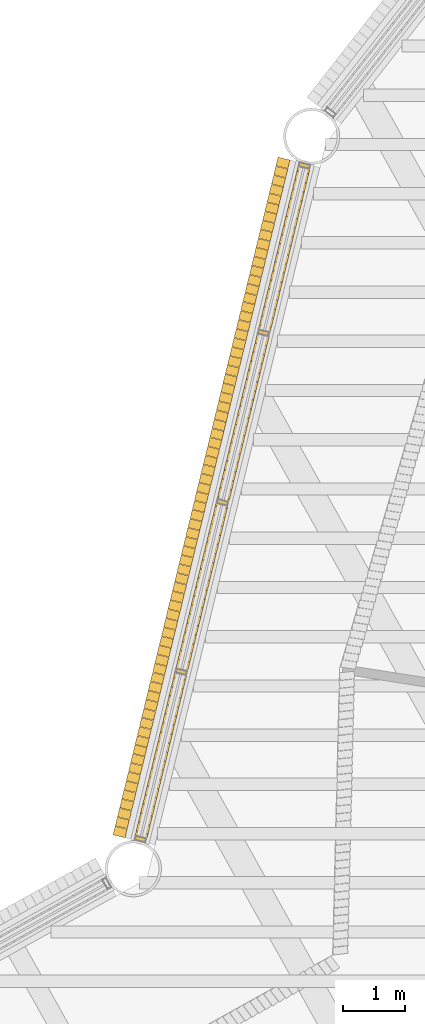
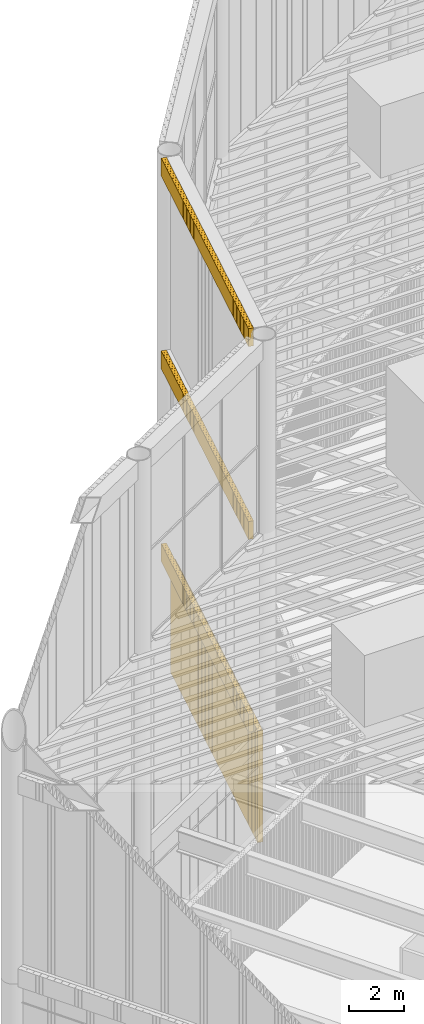
# One storey, part 100 of 117: 4 coverings.
"""IFC4 building model written with IfcOpenShell, lengths in metres."""

from ifc_helpers import new_model, si_unit, direction, frame, frame_2d, origin, place, context, subcontext, project, spatial, rectangle, composite_profile, extrude, material, type_object, element, save


model = new_model("IFC4")

# Units and contexts
model_context = context("Model", 3, precision=1e-05, world=origin(), true_north=direction((0.0, 1.0)))
body_context = subcontext(model_context, "Body", "Model", "MODEL_VIEW")
ifc_project = project(units=[si_unit("LENGTHUNIT", "METRE"), si_unit("AREAUNIT", "SQUARE_METRE"), si_unit("VOLUMEUNIT", "CUBIC_METRE"), si_unit("PLANEANGLEUNIT", "RADIAN"), si_unit("MASSUNIT", "GRAM", prefix="KILO")], contexts=[model_context])

# Site, building, storey
site_placement = place(None, origin())
site = spatial("IfcSite", under=ifc_project, at=site_placement, CompositionType="ELEMENT")
building_placement = place(site_placement, origin())
building = spatial("IfcBuilding", under=site, at=building_placement, Name="Tarsis Ring Headquarters", CompositionType="ELEMENT")
storey_placement = place(building_placement, frame((0.0, 0.0, 403.60009765625)))
storey = spatial("IfcBuildingStorey", under=building, at=storey_placement, Name="L95", CompositionType="ELEMENT", Elevation=403.60009765625)

# Coverings
ifc_material = material(Name="Terracotta louvre", Category="masonry")
covering_type = type_object("IfcCoveringType", Name="Crown louvre fin", PredefinedType="CLADDING", material=ifc_material)
covering_1_placement = place(storey_placement, frame((-26.24951171875, 12.22265625, 0.0), z_axis=(0.0, 0.0, 1.0), x_axis=(-0.236521851509, -0.971632886036, 0.0)))
element("IfcCovering", 1, at=covering_1_placement, inside=storey, type_object=covering_type, Name="Crown louvre base 13", PredefinedType="CLADDING", context=body_context, shape_type="SweptSolid", body=[
    extrude(composite_profile([rectangle(XDim=0.14501953125, YDim=0.199951171875, at=frame_2d((0.072509765625, 0.0))), rectangle(XDim=0.14501953125, YDim=0.199951171875, at=frame_2d((0.2236328125, 0.0))), rectangle(XDim=0.14501953125, YDim=0.199951171875, at=frame_2d((0.375, 0.0))), rectangle(XDim=0.14501953125, YDim=0.199951171875, at=frame_2d((0.526123046875, 0.0))), rectangle(XDim=0.14501953125, YDim=0.199951171875, at=frame_2d((0.677490234375, 0.0))), rectangle(XDim=0.14501953125, YDim=0.199951171875, at=frame_2d((0.82861328125, 0.0))), rectangle(XDim=0.14501953125, YDim=0.199951171875, at=frame_2d((0.979736328125, 0.0))), rectangle(XDim=0.14501953125, YDim=0.199951171875, at=frame_2d((1.131103515625, 0.0))), rectangle(XDim=0.14501953125, YDim=0.199951171875, at=frame_2d((1.2822265625, 0.0))), rectangle(XDim=0.14501953125, YDim=0.199951171875, at=frame_2d((1.433349609375, 0.0))), rectangle(XDim=0.14501953125, YDim=0.199951171875, at=frame_2d((1.584716796875, 0.0))), rectangle(XDim=0.14501953125, YDim=0.199951171875, at=frame_2d((1.73583984375, 0.0))), rectangle(XDim=0.14501953125, YDim=0.199951171875, at=frame_2d((1.88720703125, 0.0))), rectangle(XDim=0.14501953125, YDim=0.199951171875, at=frame_2d((2.038330078125, 0.0))), rectangle(XDim=0.14501953125, YDim=0.199951171875, at=frame_2d((2.189453125, 0.0))), rectangle(XDim=0.14501953125, YDim=0.199951171875, at=frame_2d((2.3408203125, 0.0))), rectangle(XDim=0.14501953125, YDim=0.199951171875, at=frame_2d((2.491943359375, 0.0))), rectangle(XDim=0.14501953125, YDim=0.199951171875, at=frame_2d((2.64306640625, 0.0))), rectangle(XDim=0.14501953125, YDim=0.199951171875, at=frame_2d((2.79443359375, 0.0))), rectangle(XDim=0.14501953125, YDim=0.199951171875, at=frame_2d((2.945556640625, 0.0))), rectangle(XDim=0.14501953125, YDim=0.199951171875, at=frame_2d((3.096923828125, 0.0))), rectangle(XDim=0.14501953125, YDim=0.199951171875, at=frame_2d((3.248046875, 0.0))), rectangle(XDim=0.14501953125, YDim=0.199951171875, at=frame_2d((3.399169921875, 0.0))), rectangle(XDim=0.14501953125, YDim=0.199951171875, at=frame_2d((3.550537109375, 0.0))), rectangle(XDim=0.14501953125, YDim=0.199951171875, at=frame_2d((3.70166015625, 0.0))), rectangle(XDim=0.14501953125, YDim=0.199951171875, at=frame_2d((3.852783203125, 0.0))), rectangle(XDim=0.14501953125, YDim=0.199951171875, at=frame_2d((4.004150390625, 0.0))), rectangle(XDim=0.14501953125, YDim=0.199951171875, at=frame_2d((4.1552734375, 0.0))), rectangle(XDim=0.14501953125, YDim=0.199951171875, at=frame_2d((4.306640625, 0.0))), rectangle(XDim=0.14501953125, YDim=0.199951171875, at=frame_2d((4.457763671875, 0.0))), rectangle(XDim=0.14501953125, YDim=0.199951171875, at=frame_2d((4.60888671875, 0.0))), rectangle(XDim=0.14501953125, YDim=0.199951171875, at=frame_2d((4.76025390625, 0.0))), rectangle(XDim=0.14501953125, YDim=0.199951171875, at=frame_2d((4.911376953125, 0.0))), rectangle(XDim=0.14501953125, YDim=0.199951171875, at=frame_2d((5.0625, 0.0))), rectangle(XDim=0.14501953125, YDim=0.199951171875, at=frame_2d((5.2138671875, 0.0))), rectangle(XDim=0.14501953125, YDim=0.199951171875, at=frame_2d((5.364990234375, 0.0))), rectangle(XDim=0.14501953125, YDim=0.199951171875, at=frame_2d((5.516357421875, 0.0))), rectangle(XDim=0.14501953125, YDim=0.199951171875, at=frame_2d((5.66748046875, 0.0))), rectangle(XDim=0.14501953125, YDim=0.199951171875, at=frame_2d((5.818603515625, 0.0))), rectangle(XDim=0.14501953125, YDim=0.199951171875, at=frame_2d((5.969970703125, 0.0))), rectangle(XDim=0.14501953125, YDim=0.199951171875, at=frame_2d((6.12109375, 0.0))), rectangle(XDim=0.14501953125, YDim=0.199951171875, at=frame_2d((6.2724609375, 0.0))), rectangle(XDim=0.14501953125, YDim=0.199951171875, at=frame_2d((6.423583984375, 0.0))), rectangle(XDim=0.14501953125, YDim=0.199951171875, at=frame_2d((6.57470703125, 0.0))), rectangle(XDim=0.14501953125, YDim=0.199951171875, at=frame_2d((6.72607421875, 0.0))), rectangle(XDim=0.14501953125, YDim=0.199951171875, at=frame_2d((6.877197265625, 0.0))), rectangle(XDim=0.14501953125, YDim=0.199951171875, at=frame_2d((7.0283203125, 0.0))), rectangle(XDim=0.14501953125, YDim=0.199951171875, at=frame_2d((7.1796875, 0.0))), rectangle(XDim=0.14501953125, YDim=0.199951171875, at=frame_2d((7.330810546875, 0.0))), rectangle(XDim=0.14501953125, YDim=0.199951171875, at=frame_2d((7.482177734375, 0.0))), rectangle(XDim=0.14501953125, YDim=0.199951171875, at=frame_2d((7.63330078125, 0.0))), rectangle(XDim=0.14501953125, YDim=0.199951171875, at=frame_2d((7.784423828125, 0.0))), rectangle(XDim=0.14501953125, YDim=0.199951171875, at=frame_2d((7.935791015625, 0.0))), rectangle(XDim=0.14501953125, YDim=0.199951171875, at=frame_2d((8.0869140625, 0.0))), rectangle(XDim=0.14501953125, YDim=0.199951171875, at=frame_2d((8.238037109375, 0.0))), rectangle(XDim=0.14501953125, YDim=0.199951171875, at=frame_2d((8.389404296875, 0.0))), rectangle(XDim=0.14501953125, YDim=0.199951171875, at=frame_2d((8.54052734375, 0.0))), rectangle(XDim=0.14501953125, YDim=0.199951171875, at=frame_2d((8.69189453125, 0.0))), rectangle(XDim=0.14501953125, YDim=0.199951171875, at=frame_2d((8.843017578125, 0.0))), rectangle(XDim=0.14501953125, YDim=0.199951171875, at=frame_2d((8.994140625, 0.0))), rectangle(XDim=0.14501953125, YDim=0.199951171875, at=frame_2d((9.1455078125, 0.0))), rectangle(XDim=0.14501953125, YDim=0.199951171875, at=frame_2d((9.296630859375, 0.0))), rectangle(XDim=0.14501953125, YDim=0.199951171875, at=frame_2d((9.44775390625, 0.0))), rectangle(XDim=0.14501953125, YDim=0.199951171875, at=frame_2d((9.59912109375, 0.0))), rectangle(XDim=0.14501953125, YDim=0.199951171875, at=frame_2d((9.750244140625, 0.0))), rectangle(XDim=0.14501953125, YDim=0.199951171875, at=frame_2d((9.901611328125, 0.0))), rectangle(XDim=0.14501953125, YDim=0.199951171875, at=frame_2d((10.052734375, 0.0))), rectangle(XDim=0.14501953125, YDim=0.199951171875, at=frame_2d((10.203857421875, 0.0))), rectangle(XDim=0.14501953125, YDim=0.199951171875, at=frame_2d((10.355224609375, 0.0))), rectangle(XDim=0.14501953125, YDim=0.199951171875, at=frame_2d((10.50634765625, 0.0))), rectangle(XDim=0.14501953125, YDim=0.199951171875, at=frame_2d((10.657470703125, 0.0))), rectangle(XDim=0.14501953125, YDim=0.199951171875, at=frame_2d((10.808837890625, 0.0))), rectangle(XDim=0.14501953125, YDim=0.199951171875, at=frame_2d((10.9599609375, 0.0))), rectangle(XDim=0.14501953125, YDim=0.199951171875, at=frame_2d((11.111328125, 0.0))), rectangle(XDim=0.14501953125, YDim=0.199951171875, at=frame_2d((11.262451171875, 0.0)))]), origin(), (0.0, 0.0, 1.0), 5.0),
])
covering_2_placement = place(storey_placement, frame((-26.589599609375, 12.305419921875, 5.0), z_axis=(0.0, 0.0, 1.0), x_axis=(-0.236521851509, -0.971632886036, 0.0)))
element("IfcCovering", 2, at=covering_2_placement, inside=storey, type_object=covering_type, Name="Crown louvre fascia R13", PredefinedType="CLADDING", context=body_context, shape_type="SweptSolid", body=[
    extrude(composite_profile([rectangle(XDim=0.14501953125, YDim=0.199951171875, at=frame_2d((0.072509765625, 0.0))), rectangle(XDim=0.14501953125, YDim=0.199951171875, at=frame_2d((0.2236328125, 0.0))), rectangle(XDim=0.14501953125, YDim=0.199951171875, at=frame_2d((0.375, 0.0))), rectangle(XDim=0.14501953125, YDim=0.199951171875, at=frame_2d((0.526123046875, 0.0))), rectangle(XDim=0.14501953125, YDim=0.199951171875, at=frame_2d((0.677490234375, 0.0))), rectangle(XDim=0.14501953125, YDim=0.199951171875, at=frame_2d((0.82861328125, 0.0))), rectangle(XDim=0.14501953125, YDim=0.199951171875, at=frame_2d((0.979736328125, 0.0))), rectangle(XDim=0.14501953125, YDim=0.199951171875, at=frame_2d((1.131103515625, 0.0))), rectangle(XDim=0.14501953125, YDim=0.199951171875, at=frame_2d((1.2822265625, 0.0))), rectangle(XDim=0.14501953125, YDim=0.199951171875, at=frame_2d((1.433349609375, 0.0))), rectangle(XDim=0.14501953125, YDim=0.199951171875, at=frame_2d((1.584716796875, 0.0))), rectangle(XDim=0.14501953125, YDim=0.199951171875, at=frame_2d((1.73583984375, 0.0))), rectangle(XDim=0.14501953125, YDim=0.199951171875, at=frame_2d((1.88720703125, 0.0))), rectangle(XDim=0.14501953125, YDim=0.199951171875, at=frame_2d((2.038330078125, 0.0))), rectangle(XDim=0.14501953125, YDim=0.199951171875, at=frame_2d((2.189453125, 0.0))), rectangle(XDim=0.14501953125, YDim=0.199951171875, at=frame_2d((2.3408203125, 0.0))), rectangle(XDim=0.14501953125, YDim=0.199951171875, at=frame_2d((2.491943359375, 0.0))), rectangle(XDim=0.14501953125, YDim=0.199951171875, at=frame_2d((2.64306640625, 0.0))), rectangle(XDim=0.14501953125, YDim=0.199951171875, at=frame_2d((2.79443359375, 0.0))), rectangle(XDim=0.14501953125, YDim=0.199951171875, at=frame_2d((2.945556640625, 0.0))), rectangle(XDim=0.14501953125, YDim=0.199951171875, at=frame_2d((3.096923828125, 0.0))), rectangle(XDim=0.14501953125, YDim=0.199951171875, at=frame_2d((3.248046875, 0.0))), rectangle(XDim=0.14501953125, YDim=0.199951171875, at=frame_2d((3.399169921875, 0.0))), rectangle(XDim=0.14501953125, YDim=0.199951171875, at=frame_2d((3.550537109375, 0.0))), rectangle(XDim=0.14501953125, YDim=0.199951171875, at=frame_2d((3.70166015625, 0.0))), rectangle(XDim=0.14501953125, YDim=0.199951171875, at=frame_2d((3.852783203125, 0.0))), rectangle(XDim=0.14501953125, YDim=0.199951171875, at=frame_2d((4.004150390625, 0.0))), rectangle(XDim=0.14501953125, YDim=0.199951171875, at=frame_2d((4.1552734375, 0.0))), rectangle(XDim=0.14501953125, YDim=0.199951171875, at=frame_2d((4.306640625, 0.0))), rectangle(XDim=0.14501953125, YDim=0.199951171875, at=frame_2d((4.457763671875, 0.0))), rectangle(XDim=0.14501953125, YDim=0.199951171875, at=frame_2d((4.60888671875, 0.0))), rectangle(XDim=0.14501953125, YDim=0.199951171875, at=frame_2d((4.76025390625, 0.0))), rectangle(XDim=0.14501953125, YDim=0.199951171875, at=frame_2d((4.911376953125, 0.0))), rectangle(XDim=0.14501953125, YDim=0.199951171875, at=frame_2d((5.0625, 0.0))), rectangle(XDim=0.14501953125, YDim=0.199951171875, at=frame_2d((5.2138671875, 0.0))), rectangle(XDim=0.14501953125, YDim=0.199951171875, at=frame_2d((5.364990234375, 0.0))), rectangle(XDim=0.14501953125, YDim=0.199951171875, at=frame_2d((5.516357421875, 0.0))), rectangle(XDim=0.14501953125, YDim=0.199951171875, at=frame_2d((5.66748046875, 0.0))), rectangle(XDim=0.14501953125, YDim=0.199951171875, at=frame_2d((5.818603515625, 0.0))), rectangle(XDim=0.14501953125, YDim=0.199951171875, at=frame_2d((5.969970703125, 0.0))), rectangle(XDim=0.14501953125, YDim=0.199951171875, at=frame_2d((6.12109375, 0.0))), rectangle(XDim=0.14501953125, YDim=0.199951171875, at=frame_2d((6.2724609375, 0.0))), rectangle(XDim=0.14501953125, YDim=0.199951171875, at=frame_2d((6.423583984375, 0.0))), rectangle(XDim=0.14501953125, YDim=0.199951171875, at=frame_2d((6.57470703125, 0.0))), rectangle(XDim=0.14501953125, YDim=0.199951171875, at=frame_2d((6.72607421875, 0.0))), rectangle(XDim=0.14501953125, YDim=0.199951171875, at=frame_2d((6.877197265625, 0.0))), rectangle(XDim=0.14501953125, YDim=0.199951171875, at=frame_2d((7.0283203125, 0.0))), rectangle(XDim=0.14501953125, YDim=0.199951171875, at=frame_2d((7.1796875, 0.0))), rectangle(XDim=0.14501953125, YDim=0.199951171875, at=frame_2d((7.330810546875, 0.0))), rectangle(XDim=0.14501953125, YDim=0.199951171875, at=frame_2d((7.482177734375, 0.0))), rectangle(XDim=0.14501953125, YDim=0.199951171875, at=frame_2d((7.63330078125, 0.0))), rectangle(XDim=0.14501953125, YDim=0.199951171875, at=frame_2d((7.784423828125, 0.0))), rectangle(XDim=0.14501953125, YDim=0.199951171875, at=frame_2d((7.935791015625, 0.0))), rectangle(XDim=0.14501953125, YDim=0.199951171875, at=frame_2d((8.0869140625, 0.0))), rectangle(XDim=0.14501953125, YDim=0.199951171875, at=frame_2d((8.238037109375, 0.0))), rectangle(XDim=0.14501953125, YDim=0.199951171875, at=frame_2d((8.389404296875, 0.0))), rectangle(XDim=0.14501953125, YDim=0.199951171875, at=frame_2d((8.54052734375, 0.0))), rectangle(XDim=0.14501953125, YDim=0.199951171875, at=frame_2d((8.69189453125, 0.0))), rectangle(XDim=0.14501953125, YDim=0.199951171875, at=frame_2d((8.843017578125, 0.0))), rectangle(XDim=0.14501953125, YDim=0.199951171875, at=frame_2d((8.994140625, 0.0))), rectangle(XDim=0.14501953125, YDim=0.199951171875, at=frame_2d((9.1455078125, 0.0))), rectangle(XDim=0.14501953125, YDim=0.199951171875, at=frame_2d((9.296630859375, 0.0))), rectangle(XDim=0.14501953125, YDim=0.199951171875, at=frame_2d((9.44775390625, 0.0))), rectangle(XDim=0.14501953125, YDim=0.199951171875, at=frame_2d((9.59912109375, 0.0))), rectangle(XDim=0.14501953125, YDim=0.199951171875, at=frame_2d((9.750244140625, 0.0))), rectangle(XDim=0.14501953125, YDim=0.199951171875, at=frame_2d((9.901611328125, 0.0))), rectangle(XDim=0.14501953125, YDim=0.199951171875, at=frame_2d((10.052734375, 0.0))), rectangle(XDim=0.14501953125, YDim=0.199951171875, at=frame_2d((10.203857421875, 0.0))), rectangle(XDim=0.14501953125, YDim=0.199951171875, at=frame_2d((10.355224609375, 0.0))), rectangle(XDim=0.14501953125, YDim=0.199951171875, at=frame_2d((10.50634765625, 0.0))), rectangle(XDim=0.14501953125, YDim=0.199951171875, at=frame_2d((10.657470703125, 0.0))), rectangle(XDim=0.14501953125, YDim=0.199951171875, at=frame_2d((10.808837890625, 0.0))), rectangle(XDim=0.14501953125, YDim=0.199951171875, at=frame_2d((10.9599609375, 0.0))), rectangle(XDim=0.14501953125, YDim=0.199951171875, at=frame_2d((11.111328125, 0.0))), rectangle(XDim=0.14501953125, YDim=0.199951171875, at=frame_2d((11.262451171875, 0.0)))]), origin(), (0.0, 0.0, 1.0), 0.7998046875),
])
covering_3_placement = place(storey_placement, frame((-26.589599609375, 12.305419921875, 13.599853515625), z_axis=(0.0, 0.0, 1.0), x_axis=(-0.236521851509, -0.971632886036, 0.0)))
element("IfcCovering", 3, at=covering_3_placement, inside=storey, type_object=covering_type, Name="Crown louvre fascia M13", PredefinedType="CLADDING", context=body_context, shape_type="SweptSolid", body=[
    extrude(composite_profile([rectangle(XDim=0.14501953125, YDim=0.199951171875, at=frame_2d((0.072509765625, 0.0))), rectangle(XDim=0.14501953125, YDim=0.199951171875, at=frame_2d((0.2236328125, 0.0))), rectangle(XDim=0.14501953125, YDim=0.199951171875, at=frame_2d((0.375, 0.0))), rectangle(XDim=0.14501953125, YDim=0.199951171875, at=frame_2d((0.526123046875, 0.0))), rectangle(XDim=0.14501953125, YDim=0.199951171875, at=frame_2d((0.677490234375, 0.0))), rectangle(XDim=0.14501953125, YDim=0.199951171875, at=frame_2d((0.82861328125, 0.0))), rectangle(XDim=0.14501953125, YDim=0.199951171875, at=frame_2d((0.979736328125, 0.0))), rectangle(XDim=0.14501953125, YDim=0.199951171875, at=frame_2d((1.131103515625, 0.0))), rectangle(XDim=0.14501953125, YDim=0.199951171875, at=frame_2d((1.2822265625, 0.0))), rectangle(XDim=0.14501953125, YDim=0.199951171875, at=frame_2d((1.433349609375, 0.0))), rectangle(XDim=0.14501953125, YDim=0.199951171875, at=frame_2d((1.584716796875, 0.0))), rectangle(XDim=0.14501953125, YDim=0.199951171875, at=frame_2d((1.73583984375, 0.0))), rectangle(XDim=0.14501953125, YDim=0.199951171875, at=frame_2d((1.88720703125, 0.0))), rectangle(XDim=0.14501953125, YDim=0.199951171875, at=frame_2d((2.038330078125, 0.0))), rectangle(XDim=0.14501953125, YDim=0.199951171875, at=frame_2d((2.189453125, 0.0))), rectangle(XDim=0.14501953125, YDim=0.199951171875, at=frame_2d((2.3408203125, 0.0))), rectangle(XDim=0.14501953125, YDim=0.199951171875, at=frame_2d((2.491943359375, 0.0))), rectangle(XDim=0.14501953125, YDim=0.199951171875, at=frame_2d((2.64306640625, 0.0))), rectangle(XDim=0.14501953125, YDim=0.199951171875, at=frame_2d((2.79443359375, 0.0))), rectangle(XDim=0.14501953125, YDim=0.199951171875, at=frame_2d((2.945556640625, 0.0))), rectangle(XDim=0.14501953125, YDim=0.199951171875, at=frame_2d((3.096923828125, 0.0))), rectangle(XDim=0.14501953125, YDim=0.199951171875, at=frame_2d((3.248046875, 0.0))), rectangle(XDim=0.14501953125, YDim=0.199951171875, at=frame_2d((3.399169921875, 0.0))), rectangle(XDim=0.14501953125, YDim=0.199951171875, at=frame_2d((3.550537109375, 0.0))), rectangle(XDim=0.14501953125, YDim=0.199951171875, at=frame_2d((3.70166015625, 0.0))), rectangle(XDim=0.14501953125, YDim=0.199951171875, at=frame_2d((3.852783203125, 0.0))), rectangle(XDim=0.14501953125, YDim=0.199951171875, at=frame_2d((4.004150390625, 0.0))), rectangle(XDim=0.14501953125, YDim=0.199951171875, at=frame_2d((4.1552734375, 0.0))), rectangle(XDim=0.14501953125, YDim=0.199951171875, at=frame_2d((4.306640625, 0.0))), rectangle(XDim=0.14501953125, YDim=0.199951171875, at=frame_2d((4.457763671875, 0.0))), rectangle(XDim=0.14501953125, YDim=0.199951171875, at=frame_2d((4.60888671875, 0.0))), rectangle(XDim=0.14501953125, YDim=0.199951171875, at=frame_2d((4.76025390625, 0.0))), rectangle(XDim=0.14501953125, YDim=0.199951171875, at=frame_2d((4.911376953125, 0.0))), rectangle(XDim=0.14501953125, YDim=0.199951171875, at=frame_2d((5.0625, 0.0))), rectangle(XDim=0.14501953125, YDim=0.199951171875, at=frame_2d((5.2138671875, 0.0))), rectangle(XDim=0.14501953125, YDim=0.199951171875, at=frame_2d((5.364990234375, 0.0))), rectangle(XDim=0.14501953125, YDim=0.199951171875, at=frame_2d((5.516357421875, 0.0))), rectangle(XDim=0.14501953125, YDim=0.199951171875, at=frame_2d((5.66748046875, 0.0))), rectangle(XDim=0.14501953125, YDim=0.199951171875, at=frame_2d((5.818603515625, 0.0))), rectangle(XDim=0.14501953125, YDim=0.199951171875, at=frame_2d((5.969970703125, 0.0))), rectangle(XDim=0.14501953125, YDim=0.199951171875, at=frame_2d((6.12109375, 0.0))), rectangle(XDim=0.14501953125, YDim=0.199951171875, at=frame_2d((6.2724609375, 0.0))), rectangle(XDim=0.14501953125, YDim=0.199951171875, at=frame_2d((6.423583984375, 0.0))), rectangle(XDim=0.14501953125, YDim=0.199951171875, at=frame_2d((6.57470703125, 0.0))), rectangle(XDim=0.14501953125, YDim=0.199951171875, at=frame_2d((6.72607421875, 0.0))), rectangle(XDim=0.14501953125, YDim=0.199951171875, at=frame_2d((6.877197265625, 0.0))), rectangle(XDim=0.14501953125, YDim=0.199951171875, at=frame_2d((7.0283203125, 0.0))), rectangle(XDim=0.14501953125, YDim=0.199951171875, at=frame_2d((7.1796875, 0.0))), rectangle(XDim=0.14501953125, YDim=0.199951171875, at=frame_2d((7.330810546875, 0.0))), rectangle(XDim=0.14501953125, YDim=0.199951171875, at=frame_2d((7.482177734375, 0.0))), rectangle(XDim=0.14501953125, YDim=0.199951171875, at=frame_2d((7.63330078125, 0.0))), rectangle(XDim=0.14501953125, YDim=0.199951171875, at=frame_2d((7.784423828125, 0.0))), rectangle(XDim=0.14501953125, YDim=0.199951171875, at=frame_2d((7.935791015625, 0.0))), rectangle(XDim=0.14501953125, YDim=0.199951171875, at=frame_2d((8.0869140625, 0.0))), rectangle(XDim=0.14501953125, YDim=0.199951171875, at=frame_2d((8.238037109375, 0.0))), rectangle(XDim=0.14501953125, YDim=0.199951171875, at=frame_2d((8.389404296875, 0.0))), rectangle(XDim=0.14501953125, YDim=0.199951171875, at=frame_2d((8.54052734375, 0.0))), rectangle(XDim=0.14501953125, YDim=0.199951171875, at=frame_2d((8.69189453125, 0.0))), rectangle(XDim=0.14501953125, YDim=0.199951171875, at=frame_2d((8.843017578125, 0.0))), rectangle(XDim=0.14501953125, YDim=0.199951171875, at=frame_2d((8.994140625, 0.0))), rectangle(XDim=0.14501953125, YDim=0.199951171875, at=frame_2d((9.1455078125, 0.0))), rectangle(XDim=0.14501953125, YDim=0.199951171875, at=frame_2d((9.296630859375, 0.0))), rectangle(XDim=0.14501953125, YDim=0.199951171875, at=frame_2d((9.44775390625, 0.0))), rectangle(XDim=0.14501953125, YDim=0.199951171875, at=frame_2d((9.59912109375, 0.0))), rectangle(XDim=0.14501953125, YDim=0.199951171875, at=frame_2d((9.750244140625, 0.0))), rectangle(XDim=0.14501953125, YDim=0.199951171875, at=frame_2d((9.901611328125, 0.0))), rectangle(XDim=0.14501953125, YDim=0.199951171875, at=frame_2d((10.052734375, 0.0))), rectangle(XDim=0.14501953125, YDim=0.199951171875, at=frame_2d((10.203857421875, 0.0))), rectangle(XDim=0.14501953125, YDim=0.199951171875, at=frame_2d((10.355224609375, 0.0))), rectangle(XDim=0.14501953125, YDim=0.199951171875, at=frame_2d((10.50634765625, 0.0))), rectangle(XDim=0.14501953125, YDim=0.199951171875, at=frame_2d((10.657470703125, 0.0))), rectangle(XDim=0.14501953125, YDim=0.199951171875, at=frame_2d((10.808837890625, 0.0))), rectangle(XDim=0.14501953125, YDim=0.199951171875, at=frame_2d((10.9599609375, 0.0))), rectangle(XDim=0.14501953125, YDim=0.199951171875, at=frame_2d((11.111328125, 0.0))), rectangle(XDim=0.14501953125, YDim=0.199951171875, at=frame_2d((11.262451171875, 0.0)))]), origin(), (0.0, 0.0, 1.0), 0.800048828125),
])
covering_4_placement = place(storey_placement, frame((-26.589599609375, 12.305419921875, 22.199951171875), z_axis=(0.0, 0.0, 1.0), x_axis=(-0.236521851509, -0.971632886036, 0.0)))
element("IfcCovering", 4, at=covering_4_placement, inside=storey, type_object=covering_type, Name="Crown louvre fascia T13", PredefinedType="CLADDING", context=body_context, shape_type="SweptSolid", body=[
    extrude(composite_profile([rectangle(XDim=0.14501953125, YDim=0.199951171875, at=frame_2d((0.072509765625, 0.0))), rectangle(XDim=0.14501953125, YDim=0.199951171875, at=frame_2d((0.2236328125, 0.0))), rectangle(XDim=0.14501953125, YDim=0.199951171875, at=frame_2d((0.375, 0.0))), rectangle(XDim=0.14501953125, YDim=0.199951171875, at=frame_2d((0.526123046875, 0.0))), rectangle(XDim=0.14501953125, YDim=0.199951171875, at=frame_2d((0.677490234375, 0.0))), rectangle(XDim=0.14501953125, YDim=0.199951171875, at=frame_2d((0.82861328125, 0.0))), rectangle(XDim=0.14501953125, YDim=0.199951171875, at=frame_2d((0.979736328125, 0.0))), rectangle(XDim=0.14501953125, YDim=0.199951171875, at=frame_2d((1.131103515625, 0.0))), rectangle(XDim=0.14501953125, YDim=0.199951171875, at=frame_2d((1.2822265625, 0.0))), rectangle(XDim=0.14501953125, YDim=0.199951171875, at=frame_2d((1.433349609375, 0.0))), rectangle(XDim=0.14501953125, YDim=0.199951171875, at=frame_2d((1.584716796875, 0.0))), rectangle(XDim=0.14501953125, YDim=0.199951171875, at=frame_2d((1.73583984375, 0.0))), rectangle(XDim=0.14501953125, YDim=0.199951171875, at=frame_2d((1.88720703125, 0.0))), rectangle(XDim=0.14501953125, YDim=0.199951171875, at=frame_2d((2.038330078125, 0.0))), rectangle(XDim=0.14501953125, YDim=0.199951171875, at=frame_2d((2.189453125, 0.0))), rectangle(XDim=0.14501953125, YDim=0.199951171875, at=frame_2d((2.3408203125, 0.0))), rectangle(XDim=0.14501953125, YDim=0.199951171875, at=frame_2d((2.491943359375, 0.0))), rectangle(XDim=0.14501953125, YDim=0.199951171875, at=frame_2d((2.64306640625, 0.0))), rectangle(XDim=0.14501953125, YDim=0.199951171875, at=frame_2d((2.79443359375, 0.0))), rectangle(XDim=0.14501953125, YDim=0.199951171875, at=frame_2d((2.945556640625, 0.0))), rectangle(XDim=0.14501953125, YDim=0.199951171875, at=frame_2d((3.096923828125, 0.0))), rectangle(XDim=0.14501953125, YDim=0.199951171875, at=frame_2d((3.248046875, 0.0))), rectangle(XDim=0.14501953125, YDim=0.199951171875, at=frame_2d((3.399169921875, 0.0))), rectangle(XDim=0.14501953125, YDim=0.199951171875, at=frame_2d((3.550537109375, 0.0))), rectangle(XDim=0.14501953125, YDim=0.199951171875, at=frame_2d((3.70166015625, 0.0))), rectangle(XDim=0.14501953125, YDim=0.199951171875, at=frame_2d((3.852783203125, 0.0))), rectangle(XDim=0.14501953125, YDim=0.199951171875, at=frame_2d((4.004150390625, 0.0))), rectangle(XDim=0.14501953125, YDim=0.199951171875, at=frame_2d((4.1552734375, 0.0))), rectangle(XDim=0.14501953125, YDim=0.199951171875, at=frame_2d((4.306640625, 0.0))), rectangle(XDim=0.14501953125, YDim=0.199951171875, at=frame_2d((4.457763671875, 0.0))), rectangle(XDim=0.14501953125, YDim=0.199951171875, at=frame_2d((4.60888671875, 0.0))), rectangle(XDim=0.14501953125, YDim=0.199951171875, at=frame_2d((4.76025390625, 0.0))), rectangle(XDim=0.14501953125, YDim=0.199951171875, at=frame_2d((4.911376953125, 0.0))), rectangle(XDim=0.14501953125, YDim=0.199951171875, at=frame_2d((5.0625, 0.0))), rectangle(XDim=0.14501953125, YDim=0.199951171875, at=frame_2d((5.2138671875, 0.0))), rectangle(XDim=0.14501953125, YDim=0.199951171875, at=frame_2d((5.364990234375, 0.0))), rectangle(XDim=0.14501953125, YDim=0.199951171875, at=frame_2d((5.516357421875, 0.0))), rectangle(XDim=0.14501953125, YDim=0.199951171875, at=frame_2d((5.66748046875, 0.0))), rectangle(XDim=0.14501953125, YDim=0.199951171875, at=frame_2d((5.818603515625, 0.0))), rectangle(XDim=0.14501953125, YDim=0.199951171875, at=frame_2d((5.969970703125, 0.0))), rectangle(XDim=0.14501953125, YDim=0.199951171875, at=frame_2d((6.12109375, 0.0))), rectangle(XDim=0.14501953125, YDim=0.199951171875, at=frame_2d((6.2724609375, 0.0))), rectangle(XDim=0.14501953125, YDim=0.199951171875, at=frame_2d((6.423583984375, 0.0))), rectangle(XDim=0.14501953125, YDim=0.199951171875, at=frame_2d((6.57470703125, 0.0))), rectangle(XDim=0.14501953125, YDim=0.199951171875, at=frame_2d((6.72607421875, 0.0))), rectangle(XDim=0.14501953125, YDim=0.199951171875, at=frame_2d((6.877197265625, 0.0))), rectangle(XDim=0.14501953125, YDim=0.199951171875, at=frame_2d((7.0283203125, 0.0))), rectangle(XDim=0.14501953125, YDim=0.199951171875, at=frame_2d((7.1796875, 0.0))), rectangle(XDim=0.14501953125, YDim=0.199951171875, at=frame_2d((7.330810546875, 0.0))), rectangle(XDim=0.14501953125, YDim=0.199951171875, at=frame_2d((7.482177734375, 0.0))), rectangle(XDim=0.14501953125, YDim=0.199951171875, at=frame_2d((7.63330078125, 0.0))), rectangle(XDim=0.14501953125, YDim=0.199951171875, at=frame_2d((7.784423828125, 0.0))), rectangle(XDim=0.14501953125, YDim=0.199951171875, at=frame_2d((7.935791015625, 0.0))), rectangle(XDim=0.14501953125, YDim=0.199951171875, at=frame_2d((8.0869140625, 0.0))), rectangle(XDim=0.14501953125, YDim=0.199951171875, at=frame_2d((8.238037109375, 0.0))), rectangle(XDim=0.14501953125, YDim=0.199951171875, at=frame_2d((8.389404296875, 0.0))), rectangle(XDim=0.14501953125, YDim=0.199951171875, at=frame_2d((8.54052734375, 0.0))), rectangle(XDim=0.14501953125, YDim=0.199951171875, at=frame_2d((8.69189453125, 0.0))), rectangle(XDim=0.14501953125, YDim=0.199951171875, at=frame_2d((8.843017578125, 0.0))), rectangle(XDim=0.14501953125, YDim=0.199951171875, at=frame_2d((8.994140625, 0.0))), rectangle(XDim=0.14501953125, YDim=0.199951171875, at=frame_2d((9.1455078125, 0.0))), rectangle(XDim=0.14501953125, YDim=0.199951171875, at=frame_2d((9.296630859375, 0.0))), rectangle(XDim=0.14501953125, YDim=0.199951171875, at=frame_2d((9.44775390625, 0.0))), rectangle(XDim=0.14501953125, YDim=0.199951171875, at=frame_2d((9.59912109375, 0.0))), rectangle(XDim=0.14501953125, YDim=0.199951171875, at=frame_2d((9.750244140625, 0.0))), rectangle(XDim=0.14501953125, YDim=0.199951171875, at=frame_2d((9.901611328125, 0.0))), rectangle(XDim=0.14501953125, YDim=0.199951171875, at=frame_2d((10.052734375, 0.0))), rectangle(XDim=0.14501953125, YDim=0.199951171875, at=frame_2d((10.203857421875, 0.0))), rectangle(XDim=0.14501953125, YDim=0.199951171875, at=frame_2d((10.355224609375, 0.0))), rectangle(XDim=0.14501953125, YDim=0.199951171875, at=frame_2d((10.50634765625, 0.0))), rectangle(XDim=0.14501953125, YDim=0.199951171875, at=frame_2d((10.657470703125, 0.0))), rectangle(XDim=0.14501953125, YDim=0.199951171875, at=frame_2d((10.808837890625, 0.0))), rectangle(XDim=0.14501953125, YDim=0.199951171875, at=frame_2d((10.9599609375, 0.0))), rectangle(XDim=0.14501953125, YDim=0.199951171875, at=frame_2d((11.111328125, 0.0))), rectangle(XDim=0.14501953125, YDim=0.199951171875, at=frame_2d((11.262451171875, 0.0)))]), origin(), (0.0, 0.0, 1.0), 0.800048828125),
])

save(model, "model.ifc")
